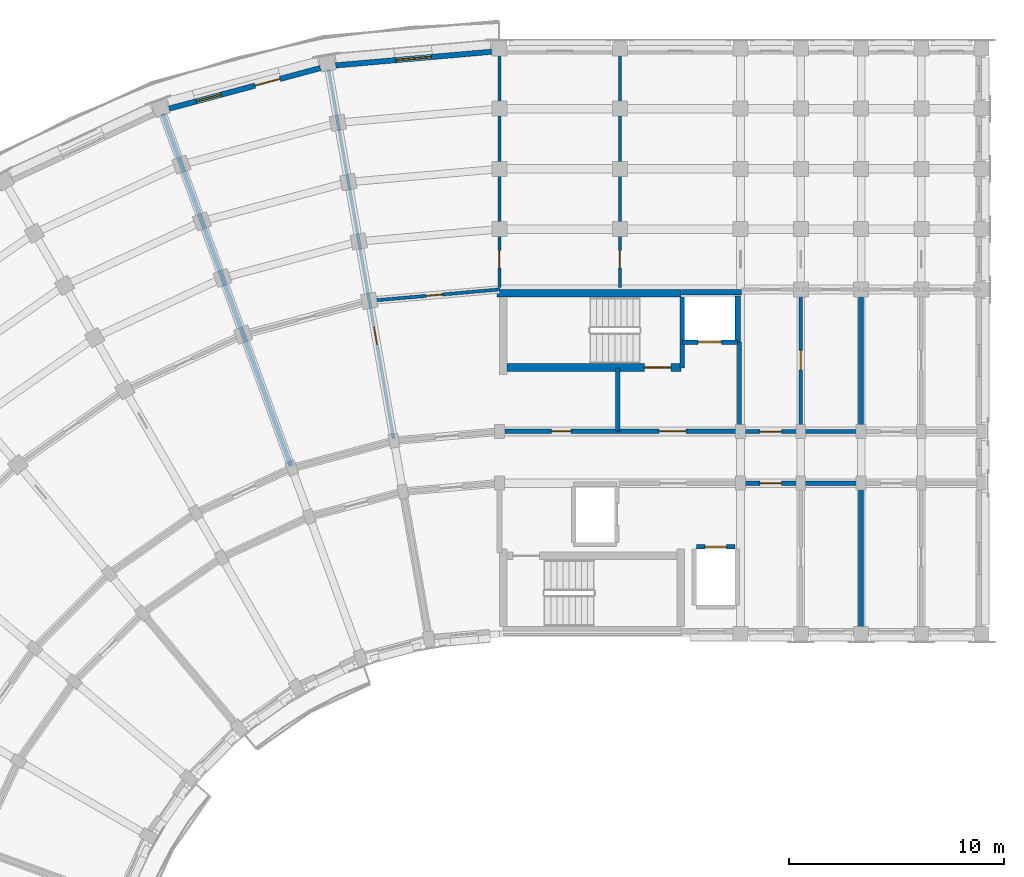
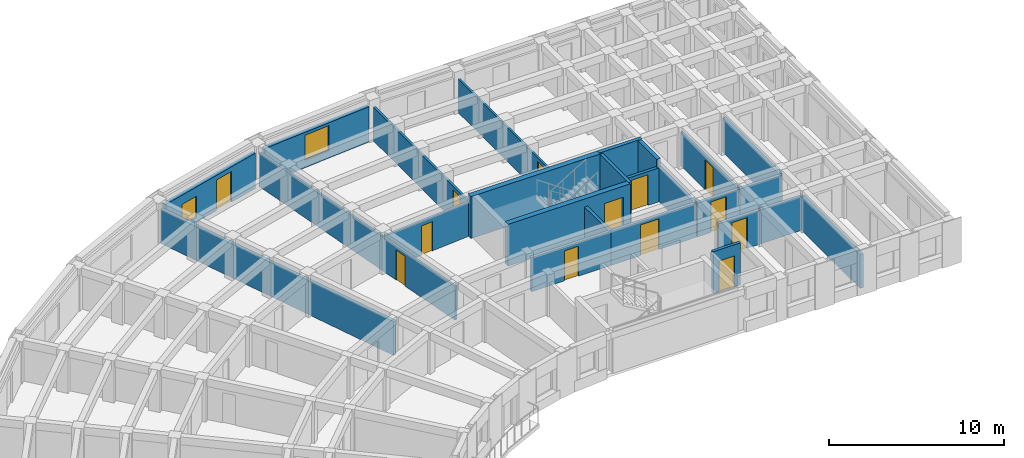
# One storey, part 27 of 54: 25 walls, 13 doors, 2 windows, 15 openings.
"""IFC4 building model written with IfcOpenShell, lengths in metres."""

from ifc_helpers import new_model, si_unit, direction, frame, frame_2d, origin, place, context, subcontext, project, spatial, rectangle, extrude, material, layer, layer_set, type_object, element, fill, save


model = new_model("IFC4")

# Units and contexts
model_context = context("Model", 3, precision=1e-05, world=origin(), true_north=direction((0.0, 1.0)))
body_context = subcontext(model_context, "Body", "Model", "MODEL_VIEW")
ifc_project = project(units=[si_unit("LENGTHUNIT", "METRE"), si_unit("AREAUNIT", "SQUARE_METRE"), si_unit("VOLUMEUNIT", "CUBIC_METRE"), si_unit("PLANEANGLEUNIT", "RADIAN"), si_unit("MASSUNIT", "GRAM", prefix="KILO")], contexts=[model_context])

# Site, building, storey
site_placement = place(None, origin())
site = spatial("IfcSite", under=ifc_project, at=site_placement, CompositionType="ELEMENT")
building_placement = place(site_placement, origin())
building = spatial("IfcBuilding", under=site, at=building_placement, Name="Kiranvali Square Residences", CompositionType="ELEMENT")
storey_placement = place(building_placement, frame((0.0, 0.0, 27.60009765625)))
storey = spatial("IfcBuildingStorey", under=building, at=storey_placement, Name="L08", CompositionType="ELEMENT", Elevation=27.60009765625)

# Wall, opening, door
ifc_material_1 = material(Name="Autoclaved aerated concrete blockwork masonry", Category="masonry")
ifc_layer_1 = layer(ifc_material_1, 0.199951171875)
ifc_layer_set_1 = layer_set([ifc_layer_1], Name="Autoclaved aerated concrete blockwork masonry")
wall_type_1 = type_object("IfcWallType", Name="WL-COR-200", PredefinedType="STANDARD", material=ifc_layer_set_1)
wall_1_placement = place(storey_placement, frame((59.39990234375, 113.60009765625, 0.0), z_axis=(0.0, 0.0, 1.0), x_axis=(1.0, 0.0, 0.0)))
wall_1 = element("IfcWall", 1, at=wall_1_placement, inside=storey, type_object=wall_type_1, Name="L08 architectural wall WL-L08-A-A1CI-0", PredefinedType="STANDARD", context=body_context, shape_type="SweptSolid", body=[
    extrude(rectangle(XDim=2.800048828125, YDim=0.199951171875, at=frame_2d((1.39990234375, 0.0))), origin(), (0.0, 0.0, 1.0), 2.371826171875),
])
opening_1_placement = place(wall_1_placement, frame((0.89990234375, 0.0, 0.0)))
opening_1 = element("IfcOpeningElement", 2, at=opening_1_placement, cuts=wall_1, Name="Opening FD-APT-60", PredefinedType="OPENING", context=body_context, shape_type="SweptSolid", body=[
    extrude(rectangle(XDim=1.0, YDim=2.14990234375, at=frame_2d((0.5, 1.074951171875))), frame((0.0, 0.10986328125, 0.0), z_axis=(0.0, -1.0, 0.0), x_axis=(1.0, 0.0, 0.0)), (0.0, 0.0, 1.0), 0.219970703125),
])
ifc_material_2 = material(Name="Fire-rated acoustic hardwood and mineral-core door assembly", Category="wood")
door_type_1 = type_object("IfcDoorType", Name="DR-APT-1000", OperationType="NOTDEFINED", PredefinedType="DOOR", material=ifc_material_2)
door_1_placement = place(opening_1_placement, origin())
door_1 = element("IfcDoor", 3, at=door_1_placement, inside=storey, type_object=door_type_1, Name="L08 door DR-L08-0523 (DR-APT-1000)", OperationType="SINGLE_SWING_LEFT", OverallHeight=2.14990234375, OverallWidth=1.0, PredefinedType="DOOR", context=body_context, shape_type="SweptSolid", body=[
    extrude(rectangle(XDim=1.0, YDim=2.14990234375, at=frame_2d((0.5, 1.074951171875))), frame((0.0, 0.02490234375, 0.0), z_axis=(0.0, -1.0, 0.0), x_axis=(1.0, 0.0, 0.0)), (0.0, 0.0, 1.0), 0.050048828125),
])
fill(opening_1, door_1)

wall_2_placement = place(storey_placement, frame((59.39990234375, 116.0, 0.0), z_axis=(0.0, 0.0, 1.0), x_axis=(1.0, 0.0, 0.0)))
wall_2 = element("IfcWall", 4, at=wall_2_placement, inside=storey, type_object=wall_type_1, Name="L08 architectural wall WL-L08-A-A1CO-0", PredefinedType="STANDARD", context=body_context, shape_type="SweptSolid", body=[
    extrude(rectangle(XDim=2.800048828125, YDim=0.199951171875, at=frame_2d((1.39990234375, 0.0))), origin(), (0.0, 0.0, 1.0), 2.371826171875),
])
opening_2_placement = place(wall_2_placement, frame((0.89990234375, 0.0, 0.0)))
opening_2 = element("IfcOpeningElement", 5, at=opening_2_placement, cuts=wall_2, Name="Opening FD-APT-60", PredefinedType="OPENING", context=body_context, shape_type="SweptSolid", body=[
    extrude(rectangle(XDim=1.0, YDim=2.14990234375, at=frame_2d((0.5, 1.074951171875))), frame((0.0, 0.10986328125, 0.0), z_axis=(0.0, -1.0, 0.0), x_axis=(1.0, 0.0, 0.0)), (0.0, 0.0, 1.0), 0.219970703125),
])
door_2_placement = place(opening_2_placement, origin())
door_2 = element("IfcDoor", 6, at=door_2_placement, inside=storey, type_object=door_type_1, Name="L08 door DR-L08-0525 (DR-APT-1000)", OperationType="SINGLE_SWING_LEFT", OverallHeight=2.14990234375, OverallWidth=1.0, PredefinedType="DOOR", context=body_context, shape_type="SweptSolid", body=[
    extrude(rectangle(XDim=1.0, YDim=2.14990234375, at=frame_2d((0.5, 1.074951171875))), frame((0.0, 0.02490234375, 0.0), z_axis=(0.0, -1.0, 0.0), x_axis=(1.0, 0.0, 0.0)), (0.0, 0.0, 1.0), 0.050048828125),
])
fill(opening_2, door_2)

# Walls
for number, where, z_axis, x_axis, name in (
    (7, (62.199951171875, 113.60009765625, 0.0), (0.0, 0.0, 1.0), (1.0, 0.0, 0.0), "L08 architectural wall WL-L08-A-A1CI-1"),
    (8, (62.199951171875, 116.0, 0.0), (0.0, 0.0, 1.0), (1.0, 0.0, 0.0), "L08 architectural wall WL-L08-A-A1CO-1"),
):
    element("IfcWall", number, at=place(storey_placement, frame(where, z_axis=z_axis, x_axis=x_axis)), inside=storey, type_object=wall_type_1, Name=name, PredefinedType="STANDARD", context=body_context, shape_type="SweptSolid", body=[
        extrude(rectangle(XDim=2.800048828125, YDim=0.199951171875, at=frame_2d((1.39990234375, 0.0))), origin(), (0.0, 0.0, 1.0), 2.371826171875),
    ])
ifc_layer_2 = layer(ifc_material_1, 0.219970703125)
ifc_layer_set_2 = layer_set([ifc_layer_2], Name="Autoclaved aerated concrete blockwork masonry")
wall_type_2 = type_object("IfcWallType", Name="WL-DEM-220", PredefinedType="STANDARD", material=ifc_layer_set_2)
wall_3_placement = place(storey_placement, frame((65.0, 106.800048828125, 0.0), z_axis=(0.0, 0.0, 1.0), x_axis=(0.0, 1.0, 0.0)))
element("IfcWall", 9, at=wall_3_placement, inside=storey, type_object=wall_type_2, Name="L08 architectural wall WL-L08-A-A1TI-2", PredefinedType="STANDARD", context=body_context, shape_type="SweptSolid", body=[
    extrude(rectangle(XDim=6.75, YDim=0.219970703125, at=frame_2d((3.375, 0.0))), origin(), (0.0, 0.0, 1.0), 2.371826171875),
])
wall_4_placement = place(storey_placement, frame((65.0, 116.050048828125, 0.0), z_axis=(0.0, 0.0, 1.0), x_axis=(0.0, 1.0, 0.0)))
element("IfcWall", 10, at=wall_4_placement, inside=storey, type_object=wall_type_2, Name="L08 architectural wall WL-L08-A-A1TO1-2", PredefinedType="STANDARD", context=body_context, shape_type="SweptSolid", body=[
    extrude(rectangle(XDim=6.530029296875, YDim=0.219970703125, at=frame_2d((3.26513671875, 0.0))), origin(), (0.0, 0.0, 1.0), 2.371826171875),
])
wall_5_placement = place(storey_placement, frame((38.520751953125, 114.393310546875, 0.0), z_axis=(0.0, 0.0, 1.0), x_axis=(-0.342022120477, 0.939691901159, 0.0)))
element("IfcWall", 11, at=wall_5_placement, inside=storey, type_object=wall_type_2, Name="L08 architectural wall WL-L08-A-RADO-2", PredefinedType="STANDARD", context=body_context, shape_type="SweptSolid", body=[
    extrude(rectangle(XDim=17.419921875, YDim=0.219970703125, at=frame_2d((8.7099609375, 0.0))), origin(), (0.0, 0.0, 1.0), 2.371826171875),
])

# Wall, opening, window
ifc_material_3 = material(Name="Breathable lime-rendered clay brick masonry", Category="masonry")
ifc_layer_3 = layer(ifc_material_3, 0.25)
ifc_layer_set_3 = layer_set([ifc_layer_3], Name="Breathable lime-rendered clay brick masonry")
wall_type_3 = type_object("IfcWallType", Name="WL-EXT-250", PredefinedType="STANDARD", material=ifc_layer_set_3)
wall_6_placement = place(storey_placement, frame((47.83642578125, 133.642822265625, 0.0), z_axis=(0.0, 0.0, 1.0), x_axis=(-0.99619214922, -0.08718487158, 0.0)))
wall_6 = element("IfcWall", 12, at=wall_6_placement, inside=storey, type_object=wall_type_3, Name="L08 exterior wall A-L08-CRV-00", PredefinedType="STANDARD", context=body_context, shape_type="SweptSolid", body=[
    extrude(rectangle(XDim=7.2666015625, YDim=0.25, at=frame_2d((3.63330078125, 0.0))), origin(), (0.0, 0.0, 1.0), 2.471923828125),
])
opening_3_placement = place(wall_6_placement, frame((2.808349609375, 0.0, 0.52197265625)))
opening_3 = element("IfcOpeningElement", 13, at=opening_3_placement, cuts=wall_6, Name="Opening W-13", PredefinedType="OPENING", context=body_context, shape_type="SweptSolid", body=[
    extrude(rectangle(XDim=1.64990234375, YDim=1.75, at=frame_2d((0.824951171875, 0.875))), frame((0.0, 0.135009765625, 0.0), z_axis=(0.0, -1.0, 0.0), x_axis=(1.0, 0.0, 0.0)), (0.0, 0.0, 1.0), 0.27001953125),
])
ifc_material_4 = material(Name="Solar-control low-e double glazing", Category="glass")
window_type_1 = type_object("IfcWindowType", Name="WIN-RES-1650x1750", PartitioningType="DOUBLE_PANEL_VERTICAL", PredefinedType="WINDOW", material=ifc_material_4)
window_1_placement = place(opening_3_placement, origin())
window_1 = element("IfcWindow", 14, at=window_1_placement, inside=storey, type_object=window_type_1, Name="L08 recessed window A-L08-CRV-00", OverallHeight=1.75, OverallWidth=1.64990234375, PartitioningType="DOUBLE_PANEL_VERTICAL", PredefinedType="WINDOW", context=body_context, shape_type="SweptSolid", body=[
    extrude(rectangle(XDim=1.64990234375, YDim=1.75, at=frame_2d((0.824951171875, 0.875))), frame((0.0, 0.030029296875, 0.0), z_axis=(0.0, -1.0, 0.0), x_axis=(1.0, 0.0, 0.0)), (0.0, 0.0, 1.0), 0.06005859375),
])
fill(opening_3, window_1)

# Wall, openings, door, window
wall_7_placement = place(storey_placement, frame((39.881591796875, 132.883056640625, 0.0), z_axis=(0.0, 0.0, 1.0), x_axis=(-0.965930355787, -0.258802140196, 0.0)))
wall_7 = element("IfcWall", 15, at=wall_7_placement, inside=storey, type_object=wall_type_3, Name="L08 exterior wall A-L08-CRV-01", PredefinedType="STANDARD", context=body_context, shape_type="SweptSolid", body=[
    extrude(rectangle(XDim=7.2666015625, YDim=0.25, at=frame_2d((3.63330078125, 0.0))), origin(), (0.0, 0.0, 1.0), 2.471923828125),
])
opening_4_placement = place(wall_7_placement, frame((4.765625, 0.0, 0.322021484375)))
opening_4 = element("IfcOpeningElement", 16, at=opening_4_placement, cuts=wall_7, Name="Opening W-06", PredefinedType="OPENING", context=body_context, shape_type="SweptSolid", body=[
    extrude(rectangle(XDim=1.199951171875, YDim=1.5, at=frame_2d((0.60009765625, 0.75))), frame((0.0, 0.135009765625, 0.0), z_axis=(0.0, -1.0, 0.0), x_axis=(1.0, 0.0, 0.0)), (0.0, 0.0, 1.0), 0.27001953125),
])
opening_5_placement = place(wall_7_placement, frame((1.943359375, 0.0, 0.0)))
opening_5 = element("IfcOpeningElement", 17, at=opening_5_placement, cuts=wall_7, Name="Opening ED-BAL-1", PredefinedType="OPENING", context=body_context, shape_type="SweptSolid", body=[
    extrude(rectangle(XDim=1.199951171875, YDim=2.14990234375, at=frame_2d((0.60009765625, 1.074951171875))), frame((0.0, 0.135009765625, 0.0), z_axis=(0.0, -1.0, 0.0), x_axis=(1.0, 0.0, 0.0)), (0.0, 0.0, 1.0), 0.27001953125),
])
ifc_material_5 = material(Name="Anodised bronze aluminium framing", Category="aluminium")
door_type_2 = type_object("IfcDoorType", Name="DR-BAL-1200", OperationType="NOTDEFINED", PredefinedType="DOOR", material=ifc_material_5)
door_3_placement = place(opening_5_placement, frame((1.199951171875, 0.0, 0.0), z_axis=(0.0, 0.0, 1.0), x_axis=(-1.0, 0.0, 0.0)))
door_3 = element("IfcDoor", 18, at=door_3_placement, inside=storey, type_object=door_type_2, Name="L08 balcony terrace door", OperationType="SINGLE_SWING_LEFT", OverallHeight=2.14990234375, OverallWidth=1.199951171875, PredefinedType="DOOR", context=body_context, shape_type="SweptSolid", body=[
    extrude(rectangle(XDim=1.199951171875, YDim=2.14990234375, at=frame_2d((0.60009765625, 1.074951171875))), frame((0.0, 0.02490234375, 0.0), z_axis=(0.0, -1.0, 0.0), x_axis=(1.0, 0.0, 0.0)), (0.0, 0.0, 1.0), 0.050048828125),
])
fill(opening_5, door_3)
window_type_2 = type_object("IfcWindowType", Name="WIN-RES-1200x1500", PartitioningType="SINGLE_PANEL", PredefinedType="WINDOW", material=ifc_material_4)
window_2_placement = place(opening_4_placement, origin())
window_2 = element("IfcWindow", 19, at=window_2_placement, inside=storey, type_object=window_type_2, Name="L08 recessed window A-L08-CRV-01", OverallHeight=1.5, OverallWidth=1.199951171875, PartitioningType="SINGLE_PANEL", PredefinedType="WINDOW", context=body_context, shape_type="SweptSolid", body=[
    extrude(rectangle(XDim=1.199951171875, YDim=1.5, at=frame_2d((0.60009765625, 0.75))), frame((0.0, 0.030029296875, 0.0), z_axis=(0.0, -1.0, 0.0), x_axis=(1.0, 0.0, 0.0)), (0.0, 0.0, 1.0), 0.06005859375),
])
fill(opening_4, window_2)

# Wall, opening, door
ifc_layer_4 = layer(ifc_material_1, 0.199951171875)
ifc_layer_set_4 = layer_set([ifc_layer_4], Name="Autoclaved aerated concrete blockwork masonry")
wall_type_4 = type_object("IfcWallType", Name="WL-FFL-200", PredefinedType="STANDARD", material=ifc_layer_set_4)
wall_8_placement = place(storey_placement, frame((53.699951171875, 116.02001953125, 0.0), z_axis=(0.0, 0.0, 1.0), x_axis=(1.0, 0.0, 0.0)))
wall_8 = element("IfcWall", 20, at=wall_8_placement, inside=storey, type_object=wall_type_4, Name="L08 architectural wall WL-L08-A-FF-COR", PredefinedType="STANDARD", context=body_context, shape_type="SweptSolid", body=[
    extrude(rectangle(XDim=5.650146484375, YDim=0.199951171875, at=frame_2d((2.8251953125, 0.0))), origin(), (0.0, 0.0, 1.0), 2.371826171875),
])
opening_6_placement = place(wall_8_placement, frame((1.922607421875, 0.0, 0.0)))
opening_6 = element("IfcOpeningElement", 21, at=opening_6_placement, cuts=wall_8, Name="Opening FD-ST-120", PredefinedType="OPENING", context=body_context, shape_type="SweptSolid", body=[
    extrude(rectangle(XDim=1.239990234375, YDim=2.14990234375, at=frame_2d((0.6201171875, 1.074951171875))), frame((0.0, 0.10986328125, 0.0), z_axis=(0.0, -1.0, 0.0), x_axis=(1.0, 0.0, 0.0)), (0.0, 0.0, 1.0), 0.219970703125),
])
door_type_3 = type_object("IfcDoorType", Name="DR-FD120-1200", OperationType="NOTDEFINED", PredefinedType="DOOR", material=ifc_material_2)
door_4_placement = place(opening_6_placement, origin())
door_4 = element("IfcDoor", 22, at=door_4_placement, inside=storey, type_object=door_type_3, Name="L08 door DR-L08-0511 (DR-FD120-1200)", OperationType="SINGLE_SWING_LEFT", OverallHeight=2.14990234375, OverallWidth=1.239990234375, PredefinedType="DOOR", context=body_context, shape_type="SweptSolid", body=[
    extrude(rectangle(XDim=1.239990234375, YDim=2.14990234375, at=frame_2d((0.6201171875, 1.074951171875))), frame((0.0, 0.02490234375, 0.0), z_axis=(0.0, -1.0, 0.0), x_axis=(1.0, 0.0, 0.0)), (0.0, 0.0, 1.0), 0.050048828125),
])
fill(opening_6, door_4)

# Walls
wall_9_placement = place(storey_placement, frame((53.699951171875, 116.02001953125, 0.0), z_axis=(0.0, 0.0, 1.0), x_axis=(0.0, 1.0, 0.0)))
element("IfcWall", 23, at=wall_9_placement, inside=storey, type_object=wall_type_4, Name="L08 architectural wall WL-L08-A-FF-DIV", PredefinedType="STANDARD", context=body_context, shape_type="SweptSolid", body=[
    extrude(rectangle(XDim=2.929931640625, YDim=0.199951171875, at=frame_2d((1.46484375, 0.0))), origin(), (0.0, 0.0, 1.0), 2.371826171875),
])
wall_10_placement = place(storey_placement, frame((59.35009765625, 116.02001953125, 0.0), z_axis=(0.0, 0.0, 1.0), x_axis=(0.0, 1.0, 0.0)))
element("IfcWall", 24, at=wall_10_placement, inside=storey, type_object=wall_type_4, Name="L08 architectural wall WL-L08-A-FF-END", PredefinedType="STANDARD", context=body_context, shape_type="SweptSolid", body=[
    extrude(rectangle(XDim=4.1298828125, YDim=0.199951171875, at=frame_2d((2.06494140625, 0.0))), origin(), (0.0, 0.0, 1.0), 2.371826171875),
])

# Wall, opening, door
wall_11_placement = place(storey_placement, frame((56.699951171875, 120.14990234375, 0.0), z_axis=(0.0, 0.0, 1.0), x_axis=(1.0, 0.0, 0.0)))
wall_11 = element("IfcWall", 25, at=wall_11_placement, inside=storey, type_object=wall_type_4, Name="L08 architectural wall WL-L08-A-FF-LFT", PredefinedType="STANDARD", context=body_context, shape_type="SweptSolid", body=[
    extrude(rectangle(XDim=2.550048828125, YDim=0.199951171875, at=frame_2d((1.27490234375, 0.0))), origin(), (0.0, 0.0, 1.0), 2.371826171875),
])
opening_7_placement = place(wall_11_placement, frame((0.72509765625, 0.0, 0.0)))
opening_7 = element("IfcOpeningElement", 26, at=opening_7_placement, cuts=wall_11, Name="Opening LD-FF-110", PredefinedType="OPENING", context=body_context, shape_type="SweptSolid", body=[
    extrude(rectangle(XDim=1.10009765625, YDim=2.14990234375, at=frame_2d((0.550048828125, 1.074951171875))), frame((0.0, 0.10986328125, 0.0), z_axis=(0.0, -1.0, 0.0), x_axis=(1.0, 0.0, 0.0)), (0.0, 0.0, 1.0), 0.219970703125),
])
door_type_4 = type_object("IfcDoorType", Name="DR-LIFT-FF-1100", OperationType="SLIDING_TO_LEFT", PredefinedType="DOOR", material=ifc_material_2)
door_5_placement = place(opening_7_placement, origin())
door_5 = element("IfcDoor", 27, at=door_5_placement, inside=storey, type_object=door_type_4, Name="L08 door DR-L08-0513 (DR-LIFT-FF-1100)", OperationType="SLIDING_TO_LEFT", OverallHeight=2.14990234375, OverallWidth=1.10009765625, PredefinedType="DOOR", context=body_context, shape_type="SweptSolid", body=[
    extrude(rectangle(XDim=1.10009765625, YDim=2.14990234375, at=frame_2d((0.550048828125, 1.074951171875))), frame((0.0, 0.02490234375, 0.0), z_axis=(0.0, -1.0, 0.0), x_axis=(1.0, 0.0, 0.0)), (0.0, 0.0, 1.0), 0.050048828125),
])
fill(opening_7, door_5)

ifc_material_6 = material(Name="Acoustic gypsum board drylined partition", Category="gypsum")
ifc_layer_5 = layer(ifc_material_6, 0.125)
ifc_layer_set_5 = layer_set([ifc_layer_5], Name="Acoustic gypsum board drylined partition")
wall_type_5 = type_object("IfcWallType", Name="WL-PRT-125", PredefinedType="PARTITIONING", material=ifc_layer_set_5)
wall_12_placement = place(storey_placement, frame((53.800048828125, 122.699951171875, 0.0), z_axis=(0.0, 0.0, 1.0), x_axis=(0.0, 1.0, 0.0)))
wall_12 = element("IfcWall", 28, at=wall_12_placement, inside=storey, type_object=wall_type_5, Name="L08 architectural wall WL-L08-A-CF-MID", PredefinedType="PARTITIONING", context=body_context, shape_type="SweptSolid", body=[
    extrude(rectangle(XDim=10.820068359375, YDim=0.125, at=frame_2d((5.41015625, 0.0))), origin(), (0.0, 0.0, 1.0), 2.371826171875),
])
opening_8_placement = place(wall_12_placement, frame((0.8994140625, 0.0, 0.0)))
opening_8 = element("IfcOpeningElement", 29, at=opening_8_placement, cuts=wall_12, Name="Opening ID-WET", PredefinedType="OPENING", context=body_context, shape_type="SweptSolid", body=[
    extrude(rectangle(XDim=0.800048828125, YDim=2.10009765625, at=frame_2d((0.39990234375, 1.050048828125))), frame((0.0, 0.072509765625, 0.0), z_axis=(0.0, -1.0, 0.0), x_axis=(1.0, 0.0, 0.0)), (0.0, 0.0, 1.0), 0.14501953125),
])
ifc_material_7 = material(Name="Solid seasoned teak hardwood joinery", Category="wood")
door_type_5 = type_object("IfcDoorType", Name="DR-WET-800", OperationType="NOTDEFINED", PredefinedType="DOOR", material=ifc_material_7)
door_6_placement = place(opening_8_placement, frame((0.800048828125, 0.0, 0.0), z_axis=(0.0, 0.0, 1.0), x_axis=(-1.0, 0.0, 0.0)))
door_6 = element("IfcDoor", 30, at=door_6_placement, inside=storey, type_object=door_type_5, Name="L08 door DR-L08-0522 (DR-WET-800)", OperationType="SINGLE_SWING_RIGHT", OverallHeight=2.10009765625, OverallWidth=0.800048828125, PredefinedType="DOOR", context=body_context, shape_type="SweptSolid", body=[
    extrude(rectangle(XDim=0.800048828125, YDim=2.10009765625, at=frame_2d((0.39990234375, 1.050048828125))), frame((0.0, 0.02490234375, 0.0), z_axis=(0.0, -1.0, 0.0), x_axis=(1.0, 0.0, 0.0)), (0.0, 0.0, 1.0), 0.050048828125),
])
fill(opening_8, door_6)

ifc_layer_6 = layer(ifc_material_6, 0.14990234375)
ifc_layer_set_6 = layer_set([ifc_layer_6], Name="Acoustic gypsum board drylined partition")
wall_type_6 = type_object("IfcWallType", Name="WL-PRT-150", PredefinedType="PARTITIONING", material=ifc_layer_set_6)
wall_13_placement = place(storey_placement, frame((62.199951171875, 116.050048828125, 0.0), z_axis=(0.0, 0.0, 1.0), x_axis=(0.0, 1.0, 0.0)))
wall_13 = element("IfcWall", 31, at=wall_13_placement, inside=storey, type_object=wall_type_6, Name="L08 architectural wall WL-L08-A-A1TO1-1", PredefinedType="PARTITIONING", context=body_context, shape_type="SweptSolid", body=[
    extrude(rectangle(XDim=6.530029296875, YDim=0.14990234375, at=frame_2d((3.26513671875, 0.0))), origin(), (0.0, 0.0, 1.0), 2.371826171875),
])
opening_9_placement = place(wall_13_placement, frame((2.81494140625, 0.0, 0.0)))
opening_9 = element("IfcOpeningElement", 32, at=opening_9_placement, cuts=wall_13, Name="Opening ID-1", PredefinedType="OPENING", context=body_context, shape_type="SweptSolid", body=[
    extrude(rectangle(XDim=0.89990234375, YDim=2.10009765625, at=frame_2d((0.449951171875, 1.050048828125))), frame((0.0, 0.0849609375, 0.0), z_axis=(0.0, -1.0, 0.0), x_axis=(1.0, 0.0, 0.0)), (0.0, 0.0, 1.0), 0.169921875),
])
door_type_6 = type_object("IfcDoorType", Name="DR-INT-900", OperationType="NOTDEFINED", PredefinedType="DOOR", material=ifc_material_7)
door_7_placement = place(opening_9_placement, origin())
door_7 = element("IfcDoor", 33, at=door_7_placement, inside=storey, type_object=door_type_6, Name="L08 door DR-L08-0533 (DR-INT-900)", OperationType="SINGLE_SWING_LEFT", OverallHeight=2.10009765625, OverallWidth=0.89990234375, PredefinedType="DOOR", context=body_context, shape_type="SweptSolid", body=[
    extrude(rectangle(XDim=0.89990234375, YDim=2.10009765625, at=frame_2d((0.449951171875, 1.050048828125))), frame((0.0, 0.02490234375, 0.0), z_axis=(0.0, -1.0, 0.0), x_axis=(1.0, 0.0, 0.0)), (0.0, 0.0, 1.0), 0.050048828125),
])
fill(opening_9, door_7)

wall_14_placement = place(storey_placement, frame((48.199951171875, 122.699951171875, 0.0), z_axis=(0.0, 0.0, 1.0), x_axis=(0.0, 1.0, 0.0)))
wall_14 = element("IfcWall", 34, at=wall_14_placement, inside=storey, type_object=wall_type_6, Name="L08 architectural wall WL-L08-A-RADO-0", PredefinedType="PARTITIONING", context=body_context, shape_type="SweptSolid", body=[
    extrude(rectangle(XDim=10.820068359375, YDim=0.14990234375, at=frame_2d((5.41015625, 0.0))), origin(), (0.0, 0.0, 1.0), 2.371826171875),
])
opening_10_placement = place(wall_14_placement, frame((0.8994140625, 0.0, 0.0)))
opening_10 = element("IfcOpeningElement", 35, at=opening_10_placement, cuts=wall_14, Name="Opening ID-WET", PredefinedType="OPENING", context=body_context, shape_type="SweptSolid", body=[
    extrude(rectangle(XDim=0.800048828125, YDim=2.10009765625, at=frame_2d((0.39990234375, 1.050048828125))), frame((0.0, 0.0849609375, 0.0), z_axis=(0.0, -1.0, 0.0), x_axis=(1.0, 0.0, 0.0)), (0.0, 0.0, 1.0), 0.169921875),
])
door_8_placement = place(opening_10_placement, frame((0.800048828125, 0.0, 0.0), z_axis=(0.0, 0.0, 1.0), x_axis=(-1.0, 0.0, 0.0)))
door_8 = element("IfcDoor", 36, at=door_8_placement, inside=storey, type_object=door_type_5, Name="L08 door DR-L08-0538 (DR-WET-800)", OperationType="SINGLE_SWING_RIGHT", OverallHeight=2.10009765625, OverallWidth=0.800048828125, PredefinedType="DOOR", context=body_context, shape_type="SweptSolid", body=[
    extrude(rectangle(XDim=0.800048828125, YDim=2.10009765625, at=frame_2d((0.39990234375, 1.050048828125))), frame((0.0, 0.02490234375, 0.0), z_axis=(0.0, -1.0, 0.0), x_axis=(1.0, 0.0, 0.0)), (0.0, 0.0, 1.0), 0.050048828125),
])
fill(opening_10, door_8)

wall_15_placement = place(storey_placement, frame((43.28564453125, 115.670166015625, 0.0), z_axis=(0.0, 0.0, 1.0), x_axis=(-0.173646216546, 0.984808098809, 0.0)))
wall_15 = element("IfcWall", 37, at=wall_15_placement, inside=storey, type_object=wall_type_6, Name="L08 architectural wall WL-L08-A-RADO-1", PredefinedType="PARTITIONING", context=body_context, shape_type="SweptSolid", body=[
    extrude(rectangle(XDim=17.419921875, YDim=0.14990234375, at=frame_2d((8.7099609375, 0.0))), origin(), (0.0, 0.0, 1.0), 2.371826171875),
])
opening_11_placement = place(wall_15_placement, frame((4.44970703125, 0.0, 0.0)))
opening_11 = element("IfcOpeningElement", 38, at=opening_11_placement, cuts=wall_15, Name="Opening ID-WET", PredefinedType="OPENING", context=body_context, shape_type="SweptSolid", body=[
    extrude(rectangle(XDim=0.800048828125, YDim=2.10009765625, at=frame_2d((0.39990234375, 1.050048828125))), frame((0.0, 0.0849609375, 0.0), z_axis=(0.0, -1.0, 0.0), x_axis=(1.0, 0.0, 0.0)), (0.0, 0.0, 1.0), 0.169921875),
])
door_9_placement = place(opening_11_placement, origin())
door_9 = element("IfcDoor", 39, at=door_9_placement, inside=storey, type_object=door_type_5, Name="L08 door DR-L08-0539 (DR-WET-800)", OperationType="SINGLE_SWING_LEFT", OverallHeight=2.10009765625, OverallWidth=0.800048828125, PredefinedType="DOOR", context=body_context, shape_type="SweptSolid", body=[
    extrude(rectangle(XDim=0.800048828125, YDim=2.10009765625, at=frame_2d((0.39990234375, 1.050048828125))), frame((0.0, 0.02490234375, 0.0), z_axis=(0.0, -1.0, 0.0), x_axis=(1.0, 0.0, 0.0)), (0.0, 0.0, 1.0), 0.050048828125),
])
fill(opening_11, door_9)

ifc_layer_7 = layer(ifc_material_1, 0.199951171875)
ifc_layer_set_7 = layer_set([ifc_layer_7], Name="Autoclaved aerated concrete blockwork masonry")
wall_type_7 = type_object("IfcWallType", Name="WL-SHF-200", PredefinedType="STANDARD", material=ifc_layer_set_7)
wall_16_placement = place(storey_placement, frame((48.449951171875, 116.02001953125, 0.0), z_axis=(0.0, 0.0, 1.0), x_axis=(1.0, 0.0, 0.0)))
wall_16 = element("IfcWall", 40, at=wall_16_placement, inside=storey, type_object=wall_type_7, Name="L08 architectural wall WL-L08-A-RSR-COR", PredefinedType="STANDARD", context=body_context, shape_type="SweptSolid", body=[
    extrude(rectangle(XDim=5.25, YDim=0.199951171875, at=frame_2d((2.625, 0.0))), origin(), (0.0, 0.0, 1.0), 2.371826171875),
])
opening_12_placement = place(wall_16_placement, frame((2.1650390625, 0.0, 0.0)))
opening_12 = element("IfcOpeningElement", 41, at=opening_12_placement, cuts=wall_16, Name="Opening FD-SVC-120", PredefinedType="OPENING", context=body_context, shape_type="SweptSolid", body=[
    extrude(rectangle(XDim=0.919921875, YDim=2.10009765625, at=frame_2d((0.4599609375, 1.050048828125))), frame((0.0, 0.10986328125, 0.0), z_axis=(0.0, -1.0, 0.0), x_axis=(1.0, 0.0, 0.0)), (0.0, 0.0, 1.0), 0.219970703125),
])
door_type_7 = type_object("IfcDoorType", Name="DR-SVC-900", OperationType="NOTDEFINED", PredefinedType="DOOR", material=ifc_material_2)
door_10_placement = place(opening_12_placement, frame((0.919921875, 0.0, 0.0), z_axis=(0.0, 0.0, 1.0), x_axis=(-1.0, 0.0, 0.0)))
door_10 = element("IfcDoor", 42, at=door_10_placement, inside=storey, type_object=door_type_7, Name="L08 door DR-L08-0512 (DR-SVC-900)", OperationType="SINGLE_SWING_RIGHT", OverallHeight=2.10009765625, OverallWidth=0.919921875, PredefinedType="DOOR", context=body_context, shape_type="SweptSolid", body=[
    extrude(rectangle(XDim=0.919921875, YDim=2.10009765625, at=frame_2d((0.4599609375, 1.050048828125))), frame((0.0, 0.02490234375, 0.0), z_axis=(0.0, -1.0, 0.0), x_axis=(1.0, 0.0, 0.0)), (0.0, 0.0, 1.0), 0.050048828125),
])
fill(opening_12, door_10)

# Wall
wall_17_placement = place(storey_placement, frame((56.699951171875, 118.949951171875, 0.0), z_axis=(0.0, 0.0, 1.0), x_axis=(0.0, 1.0, 0.0)))
element("IfcWall", 43, at=wall_17_placement, inside=storey, type_object=wall_type_7, Name="L08 architectural wall WL-L08-A-FF-SHF", PredefinedType="STANDARD", context=body_context, shape_type="SweptSolid", body=[
    extrude(rectangle(XDim=3.300048828125, YDim=0.199951171875, at=frame_2d((1.64990234375, 0.0))), origin(), (0.0, 0.0, 1.0), 2.929931640625),
])

# Wall, opening, door
wall_18_placement = place(storey_placement, frame((57.35009765625, 110.64990234375, 0.0), z_axis=(0.0, 0.0, 1.0), x_axis=(1.0, 0.0, 0.0)))
wall_18 = element("IfcWall", 44, at=wall_18_placement, inside=storey, type_object=wall_type_7, Name="L08 architectural wall WL-L08-A-LP1-F", PredefinedType="STANDARD", context=body_context, shape_type="SweptSolid", body=[
    extrude(rectangle(XDim=1.7998046875, YDim=0.199951171875, at=frame_2d((0.89990234375, 0.0))), origin(), (0.0, 0.0, 1.0), 2.929931640625),
])
opening_13_placement = place(wall_18_placement, frame((0.389892578125, 0.0, 0.0)))
opening_13 = element("IfcOpeningElement", 45, at=opening_13_placement, cuts=wall_18, Name="Opening LD-PAX-100", PredefinedType="OPENING", context=body_context, shape_type="SweptSolid", body=[
    extrude(rectangle(XDim=1.02001953125, YDim=2.14990234375, at=frame_2d((0.510009765625, 1.074951171875))), frame((0.0, 0.10986328125, 0.0), z_axis=(0.0, -1.0, 0.0), x_axis=(1.0, 0.0, 0.0)), (0.0, 0.0, 1.0), 0.219970703125),
])
door_type_8 = type_object("IfcDoorType", Name="DR-LIFT-1000", OperationType="SLIDING_TO_RIGHT", PredefinedType="DOOR", material=ifc_material_2)
door_11_placement = place(opening_13_placement, origin())
door_11 = element("IfcDoor", 46, at=door_11_placement, inside=storey, type_object=door_type_8, Name="L08 door DR-L08-0517 (DR-LIFT-1000)", OperationType="SLIDING_TO_RIGHT", OverallHeight=2.14990234375, OverallWidth=1.02001953125, PredefinedType="DOOR", context=body_context, shape_type="SweptSolid", body=[
    extrude(rectangle(XDim=1.02001953125, YDim=2.14990234375, at=frame_2d((0.510009765625, 1.074951171875))), frame((0.0, 0.02490234375, 0.0), z_axis=(0.0, -1.0, 0.0), x_axis=(1.0, 0.0, 0.0)), (0.0, 0.0, 1.0), 0.050048828125),
])
fill(opening_13, door_11)

# Walls
ifc_material_8 = material(Name="Concrete M45 (45 MPa)", Category="concrete")
ifc_layer_8 = layer(ifc_material_8, 0.25)
ifc_layer_set_8 = layer_set([ifc_layer_8], Name="Concrete M45 (45 MPa)")
wall_type_8 = type_object("IfcWallType", Name="WL-SHR-250", PredefinedType="SHEAR", material=ifc_layer_set_8)
wall_19_placement = place(storey_placement, frame((56.64990234375, 122.47509765625, 0.0), z_axis=(0.0, 0.0, 1.0), x_axis=(1.0, 0.0, 0.0)))
element("IfcWall", 47, at=wall_19_placement, inside=storey, type_object=wall_type_8, Name="Block A core shear wall SW-AFF-BK-L08", PredefinedType="SHEAR", context=body_context, shape_type="SweptSolid", body=[
    extrude(rectangle(XDim=2.800048828125, YDim=0.25, at=frame_2d((1.39990234375, 0.0))), origin(), (0.0, 0.0, 1.0), 2.929931640625),
])
wall_20_placement = place(storey_placement, frame((59.27490234375, 120.14990234375, 0.0), z_axis=(0.0, 0.0, 1.0), x_axis=(0.0, 1.0, 0.0)))
element("IfcWall", 48, at=wall_20_placement, inside=storey, type_object=wall_type_8, Name="Block A core shear wall SW-AFF-SD-L08", PredefinedType="SHEAR", context=body_context, shape_type="SweptSolid", body=[
    extrude(rectangle(XDim=2.150146484375, YDim=0.25, at=frame_2d((1.0751953125, 0.0))), origin(), (0.0, 0.0, 1.0), 2.929931640625),
])
ifc_layer_9 = layer(ifc_material_8, 0.320068359375)
ifc_layer_set_9 = layer_set([ifc_layer_9], Name="Concrete M45 (45 MPa)")
wall_type_9 = type_object("IfcWallType", Name="WL-SHR-320", PredefinedType="SHEAR", material=ifc_layer_set_9)
wall_21_placement = place(storey_placement, frame((48.080078125, 122.425048828125, 0.0), z_axis=(0.0, 0.0, 1.0), x_axis=(1.0, 0.0, 0.0)))
element("IfcWall", 49, at=wall_21_placement, inside=storey, type_object=wall_type_9, Name="Block A core shear wall SW-A1-OUT-L08", PredefinedType="SHEAR", context=body_context, shape_type="SweptSolid", body=[
    extrude(rectangle(XDim=8.544921875, YDim=0.35009765625, at=frame_2d((4.2724609375, 0.0))), origin(), (0.0, 0.0, 1.0), 2.929931640625),
])

# Wall, opening, door
wall_22_placement = place(storey_placement, frame((48.550048828125, 118.97509765625, 0.0), z_axis=(0.0, 0.0, 1.0), x_axis=(1.0, 0.0, 0.0)))
wall_22 = element("IfcWall", 50, at=wall_22_placement, inside=storey, type_object=wall_type_9, Name="Block A core shear wall SW-A1-IN-L08", PredefinedType="SHEAR", context=body_context, shape_type="SweptSolid", body=[
    extrude(rectangle(XDim=8.074951171875, YDim=0.35009765625, at=frame_2d((4.03759765625, 0.0))), origin(), (0.0, 0.0, 1.0), 2.929931640625),
])
opening_14_placement = place(wall_22_placement, frame((6.3798828125, 0.0, 0.0)))
opening_14 = element("IfcOpeningElement", 51, at=opening_14_placement, cuts=wall_22, Name="Opening FD-ST-120", PredefinedType="OPENING", context=body_context, shape_type="SweptSolid", body=[
    extrude(rectangle(XDim=1.239990234375, YDim=2.14990234375, at=frame_2d((0.6201171875, 1.074951171875))), frame((0.0, 0.18505859375, 0.0), z_axis=(0.0, -1.0, 0.0), x_axis=(1.0, 0.0, 0.0)), (0.0, 0.0, 1.0), 0.3701171875),
])
door_12_placement = place(opening_14_placement, origin())
door_12 = element("IfcDoor", 52, at=door_12_placement, inside=storey, type_object=door_type_3, Name="L08 door DR-L08-0514 (DR-FD120-1200)", OperationType="SINGLE_SWING_RIGHT", OverallHeight=2.14990234375, OverallWidth=1.239990234375, PredefinedType="DOOR", context=body_context, shape_type="SweptSolid", body=[
    extrude(rectangle(XDim=1.239990234375, YDim=2.14990234375, at=frame_2d((0.6201171875, 1.074951171875))), frame((0.0, 0.02490234375, 0.0), z_axis=(0.0, -1.0, 0.0), x_axis=(1.0, 0.0, 0.0)), (0.0, 0.0, 1.0), 0.050048828125),
])
fill(opening_14, door_12)

ifc_layer_10 = layer(ifc_material_1, 0.14990234375)
ifc_layer_set_10 = layer_set([ifc_layer_10], Name="Autoclaved aerated concrete blockwork masonry")
wall_type_10 = type_object("IfcWallType", Name="WL-WET-150", PredefinedType="PLUMBINGWALL", material=ifc_layer_set_10)
wall_23_placement = place(storey_placement, frame((48.199951171875, 122.60009765625, 0.0), z_axis=(0.0, 0.0, 1.0), x_axis=(-0.996193018494, -0.087174938512, 0.0)))
wall_23 = element("IfcWall", 53, at=wall_23_placement, inside=storey, type_object=wall_type_10, Name="L08 architectural wall WL-L08-A-CWET-0", PredefinedType="PLUMBINGWALL", context=body_context, shape_type="SweptSolid", body=[
    extrude(rectangle(XDim=6.066162109375, YDim=0.14990234375, at=frame_2d((3.033203125, 0.0))), origin(), (0.0, 0.0, 1.0), 2.371826171875),
])
opening_15_placement = place(wall_23_placement, frame((2.653076171875, 0.0, 0.0)))
opening_15 = element("IfcOpeningElement", 54, at=opening_15_placement, cuts=wall_23, Name="Opening ID-WET0", PredefinedType="OPENING", context=body_context, shape_type="SweptSolid", body=[
    extrude(rectangle(XDim=0.760009765625, YDim=2.050048828125, at=frame_2d((0.3798828125, 1.02490234375))), frame((0.0, 0.0849609375, 0.0), z_axis=(0.0, -1.0, 0.0), x_axis=(1.0, 0.0, 0.0)), (0.0, 0.0, 1.0), 0.169921875),
])
door_type_9 = type_object("IfcDoorType", Name="DR-WET-760", OperationType="NOTDEFINED", PredefinedType="DOOR", material=ifc_material_7)
door_13_placement = place(opening_15_placement, frame((0.760009765625, 0.0, 0.0), z_axis=(0.0, 0.0, 1.0), x_axis=(-1.0, 0.0, 0.0)))
door_13 = element("IfcDoor", 55, at=door_13_placement, inside=storey, type_object=door_type_9, Name="L08 door DR-L08-0544 (DR-WET-760)", OperationType="SINGLE_SWING_RIGHT", OverallHeight=2.050048828125, OverallWidth=0.760009765625, PredefinedType="DOOR", context=body_context, shape_type="SweptSolid", body=[
    extrude(rectangle(XDim=0.760009765625, YDim=2.050048828125, at=frame_2d((0.3798828125, 1.02490234375))), frame((0.0, 0.02490234375, 0.0), z_axis=(0.0, -1.0, 0.0), x_axis=(1.0, 0.0, 0.0)), (0.0, 0.0, 1.0), 0.050048828125),
])
fill(opening_15, door_13)

save(model, "model.ifc")
